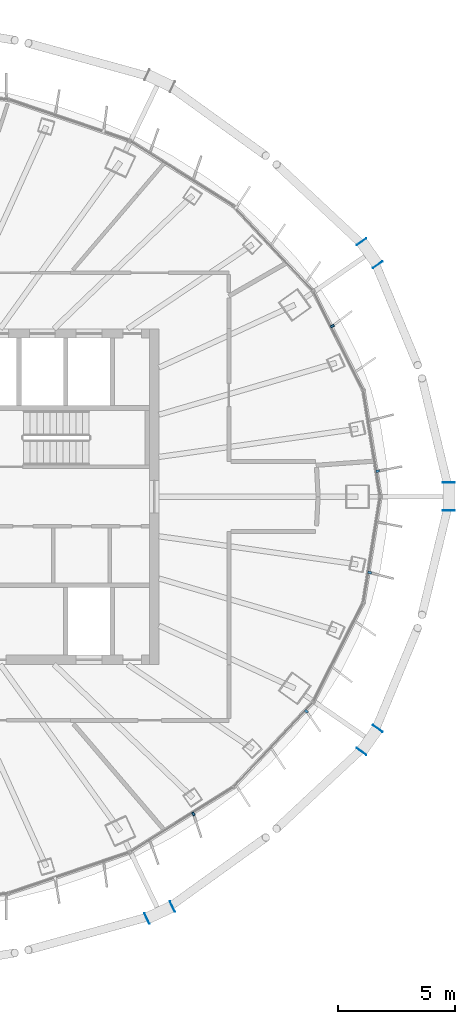
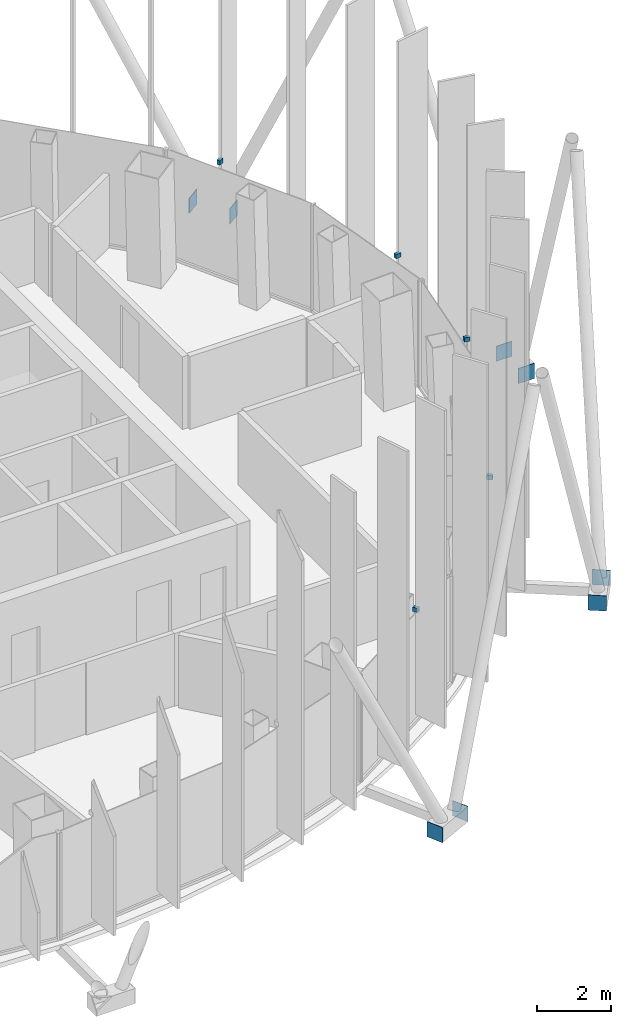
# One storey, part 15 of 20: 13 discrete accessories.
"""IFC4 building model written with IfcOpenShell, lengths in metres."""

from ifc_helpers import new_model, si_unit, direction, frame, origin, origin_2d, place, context, subcontext, project, spatial, rectangle, extrude, material, layer, layer_set, type_object, element, save


model = new_model("IFC4")

# Units and contexts
model_context = context("Model", 3, precision=1e-05, world=origin(), true_north=direction((0.0, 1.0)))
body_context = subcontext(model_context, "Body", "Model", "MODEL_VIEW")
ifc_project = project(units=[si_unit("LENGTHUNIT", "METRE"), si_unit("AREAUNIT", "SQUARE_METRE"), si_unit("VOLUMEUNIT", "CUBIC_METRE"), si_unit("PLANEANGLEUNIT", "RADIAN"), si_unit("MASSUNIT", "GRAM", prefix="KILO")], contexts=[model_context])

# Site, building, storey
site_placement = place(None, origin())
site = spatial("IfcSite", under=ifc_project, at=site_placement, CompositionType="ELEMENT")
building_placement = place(site_placement, origin())
building = spatial("IfcBuilding", under=site, at=building_placement, Name="Siaravel Broadcast Tower", CompositionType="ELEMENT")
storey_placement = place(building_placement, frame((0.0, 0.0, 228.199951171875)))
storey = spatial("IfcBuildingStorey", under=building, at=storey_placement, Name="L55", CompositionType="ELEMENT", Elevation=228.199951171875)

# Discrete accessories
ifc_material_1 = material(Name="Stainless steel 316", Category="steel")
discrete_accessory_type_1 = type_object("IfcDiscreteAccessoryType", Name="Stainless steel fin bracket", PredefinedType="USERDEFINED", material=ifc_material_1)
for number, where, z_axis, x_axis, name in (
    (1, (21.38720703125, 1.092529296875, 3.67529296875), (0.0, 0.0, 1.0), (0.987329198, 0.158685394, 0.0), "Fin bracket L55-01"),
    (2, (19.442626953125, 7.318359375, 3.67529296875), (0.0, 0.0, 1.0), (0.892392939, 0.451259174, 0.0), "Fin bracket L55-04"),
    (3, (13.480712890625, -13.615478515625, 3.67529296875), (0.0, 0.0, 1.0), (0.53215093, -0.846649507, 0.0), "Fin bracket L55-49"),
    (4, (18.32958984375, -9.211181640625, 3.67529296875), (0.0, 0.0, 1.0), (0.729806802, -0.683653445, 0.0), "Fin bracket L55-52"),
    (5, (21.0390625, -3.2587890625, 3.67529296875), (0.0, 0.0, 1.0), (0.987329198, -0.158685394, 0.0), "Fin bracket L55-55"),
):
    element("IfcDiscreteAccessory", number, at=place(storey_placement, frame(where, z_axis=z_axis, x_axis=x_axis)), inside=storey, type_object=discrete_accessory_type_1, Name=name, ObjectType="BRACKET", PredefinedType="USERDEFINED", context=body_context, shape_type="SweptSolid", body=[
        extrude(rectangle(XDim=0.159912109375, YDim=0.10009765625, at=origin_2d()), origin(), (0.0, 0.0, 1.0), 0.139892578125),
    ])
ifc_material_2 = material(Name="Steel S355", Category="steel")
ifc_layer = layer(ifc_material_2, 0.02001953125)
ifc_layer_set = layer_set([ifc_layer], Name="Steel S355")
discrete_accessory_type_2 = type_object("IfcDiscreteAccessoryType", Name="Steel end plate 20 mm", PredefinedType="USERDEFINED", material=ifc_layer_set)
for number, where, z_axis, x_axis, name in (
    (6, (24.436279296875, 0.603515625, -0.449951171875), (0.0, 0.0, 1.0), (0.0, 1.0, 0.0), "End plate R23 station 00A"),
    (7, (24.436279296875, -0.603515625, -0.449951171875), (0.0, 0.0, 1.0), (0.0, 1.0, 0.0), "End plate R23 station 00B"),
    (8, (20.688232421875, 10.934326171875, -0.449951171875), (0.0, 0.0, 1.0), (-0.576118513, 0.817366172, 0.0), "End plate R23 station 06A"),
    (9, (21.383544921875, 9.947998046875, -0.449951171875), (0.0, 0.0, 1.0), (-0.576118513, 0.817366172, 0.0), "End plate R23 station 06B"),
    (10, (12.5751953125, -17.58251953125, -0.449951171875), (0.0, 0.0, 1.0), (0.904006456, 0.427518805, 0.0), "End plate R23 station 60A"),
    (11, (11.484130859375, -18.098388671875, -0.449951171875), (0.0, 0.0, 1.0), (0.904006456, 0.427518805, 0.0), "End plate R23 station 60B"),
    (12, (21.383544921875, -9.947998046875, -0.449951171875), (0.0, 0.0, 1.0), (0.576118513, 0.817366172, 0.0), "End plate R23 station 66A"),
    (13, (20.688232421875, -10.934326171875, -0.449951171875), (0.0, 0.0, 1.0), (0.576118513, 0.817366172, 0.0), "End plate R23 station 66B"),
):
    element("IfcDiscreteAccessory", number, at=place(storey_placement, frame(where, z_axis=z_axis, x_axis=x_axis)), inside=storey, type_object=discrete_accessory_type_2, Name=name, ObjectType="END PLATE", PredefinedType="USERDEFINED", context=body_context, shape_type="SweptSolid", body=[
        extrude(rectangle(XDim=0.02001953125, YDim=0.5, at=origin_2d()), origin(), (0.0, 0.0, 1.0), 0.5),
    ])

save(model, "model.ifc")
